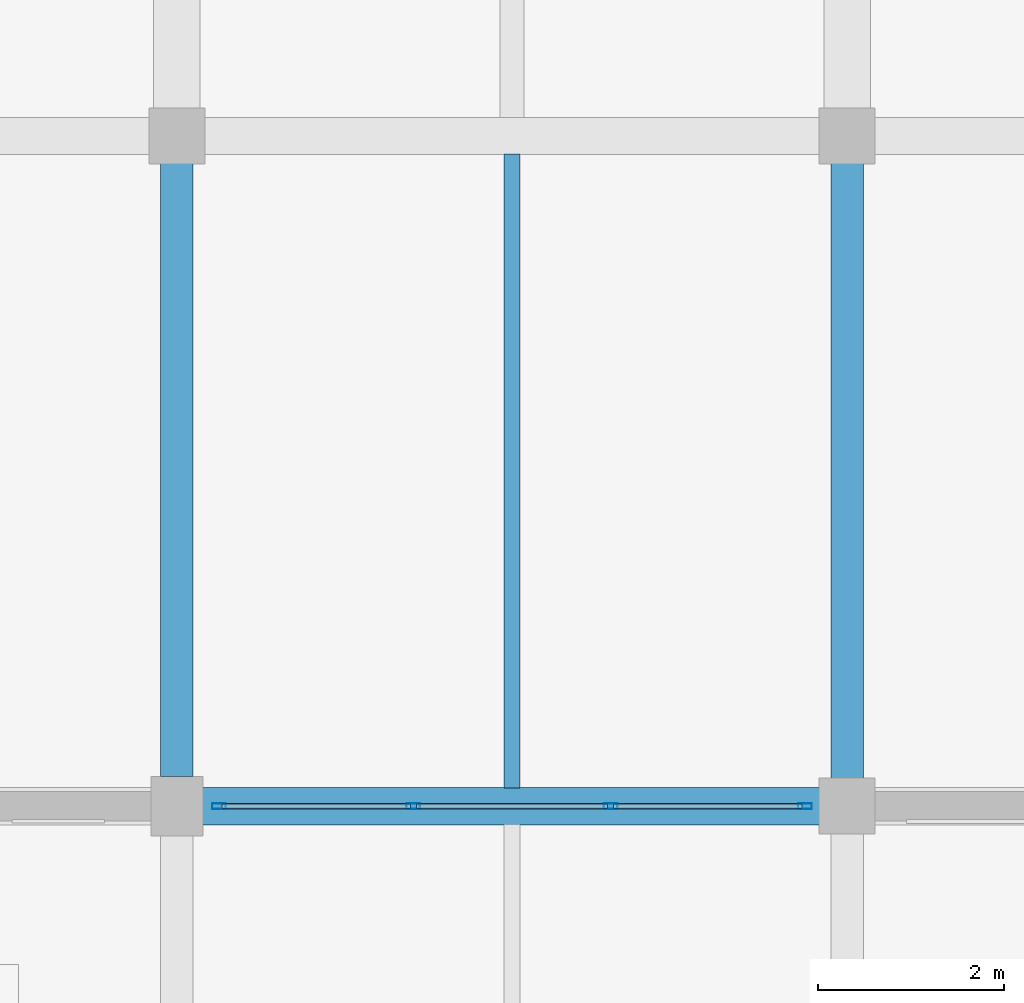
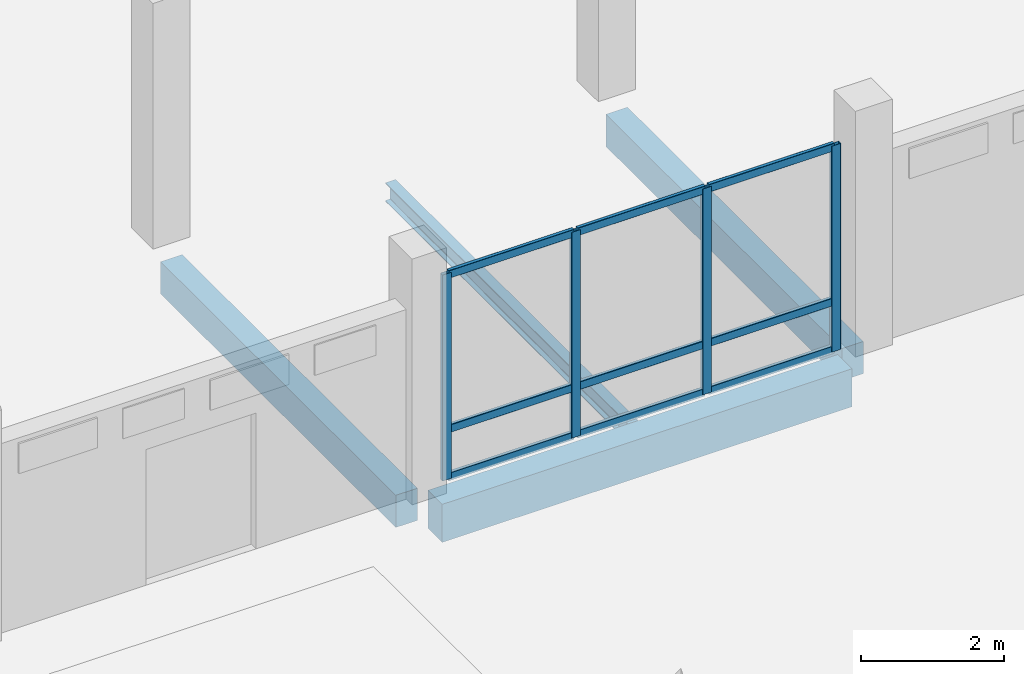
# One storey, part 108 of 158: 13 members, 4 beams, 1 element without a shape of its own.
"""IFC4 building model written with IfcOpenShell, lengths in metres."""

from ifc_helpers import new_model, si_unit, direction, frame, origin, origin_2d, place, context, subcontext, project, spatial, rectangle, hollow_rectangle, i_section, extrude, material, material_profile, profile_set, type_object, element, aggregate, save


model = new_model("IFC4")

# Units and contexts
model_context = context("Model", 3, precision=1e-05, world=origin(), true_north=direction((0.0, 1.0)))
body_context = subcontext(model_context, "Body", "Model", "MODEL_VIEW")
ifc_project = project(units=[si_unit("LENGTHUNIT", "METRE"), si_unit("AREAUNIT", "SQUARE_METRE"), si_unit("VOLUMEUNIT", "CUBIC_METRE"), si_unit("PLANEANGLEUNIT", "RADIAN"), si_unit("MASSUNIT", "GRAM", prefix="KILO")], contexts=[model_context])

# Site, building, storey
site_placement = place(None, origin())
site = spatial("IfcSite", under=ifc_project, at=site_placement, CompositionType="ELEMENT")
building_placement = place(site_placement, origin())
building = spatial("IfcBuilding", under=site, at=building_placement, Name="Lusvemor Sports Hall", CompositionType="ELEMENT")
storey_placement = place(building_placement, frame((0.0, 0.0, 10.800048828125)))
storey = spatial("IfcBuildingStorey", under=building, at=storey_placement, Name="L02", CompositionType="ELEMENT", Elevation=10.800048828125)

# Beams
ifc_material_1 = material(Name="Concrete C40/50", Category="concrete")
ifc_material_profile_1 = material_profile(ifc_material_1, rectangle(XDim=0.35009765625, YDim=0.550048828125, at=origin_2d()), Name="RC350x550")
ifc_profile_set_1 = profile_set([ifc_material_profile_1], Name="Concrete C40/50")
beam_type_1 = type_object("IfcBeamType", Name="BEAM_RC_550", PredefinedType="BEAM", material=ifc_profile_set_1)
beam_1_placement = place(storey_placement, frame((133.199951171875, 97.51611328125, -0.53515625), z_axis=(0.0, 1.0, 0.0), x_axis=(-1.0, 0.0, 0.0)))
element("IfcBeam", 1, at=beam_1_placement, inside=storey, type_object=beam_type_1, Name="Beam L02 15:N-P", PredefinedType="BEAM", context=body_context, shape_type="SweptSolid", body=[
    extrude(rectangle(XDim=0.35009765625, YDim=0.550048828125, at=origin_2d()), origin(), (0.0, 0.0, 1.0), 6.587890625),
])
beam_2_placement = place(storey_placement, frame((140.39990234375, 97.49609375, -0.53515625), z_axis=(0.0, 1.0, 0.0), x_axis=(-1.0, 0.0, 0.0)))
element("IfcBeam", 2, at=beam_2_placement, inside=storey, type_object=beam_type_1, Name="Beam L02 16:N-P", PredefinedType="BEAM", context=body_context, shape_type="SweptSolid", body=[
    extrude(rectangle(XDim=0.35009765625, YDim=0.550048828125, at=origin_2d()), origin(), (0.0, 0.0, 1.0), 6.60791015625),
])
ifc_material_2 = material(Name="Concrete C40/50", Category="concrete")
ifc_material_profile_2 = material_profile(ifc_material_2, rectangle(XDim=0.39990234375, YDim=0.64990234375, at=origin_2d()), Name="RC400x650")
ifc_profile_set_2 = profile_set([ifc_material_profile_2], Name="Concrete C40/50")
beam_type_2 = type_object("IfcBeamType", Name="BEAM_RC_650", PredefinedType="BEAM", material=ifc_profile_set_2)
beam_3_placement = place(storey_placement, frame((133.47607421875, 97.199951171875, -0.5849609375), z_axis=(1.0, 0.0, 0.0), x_axis=(0.0, 1.0, 0.0)))
element("IfcBeam", 3, at=beam_3_placement, inside=storey, type_object=beam_type_2, Name="Beam L02 N:15-16", PredefinedType="BEAM", context=body_context, shape_type="SweptSolid", body=[
    extrude(rectangle(XDim=0.39990234375, YDim=0.64990234375, at=origin_2d()), origin(), (0.0, 0.0, 1.0), 6.6279296875),
])

# Curtain wall, members
ifc_material_3 = material(Name="Thermally broken bronze-anodized aluminium", Category="aluminium")
curtain_wall_type = type_object("IfcCurtainWallType", Name="CW_WING_B", PredefinedType="NOTDEFINED", material=ifc_material_3)
curtain_wall_placement = place(storey_placement, origin())
curtain_wall = element("IfcCurtainWall", 4, at=curtain_wall_placement, inside=storey, type_object=curtain_wall_type, Name="Curtain Wall CW-L02-S-3-12", PredefinedType="NOTDEFINED")
ifc_material_4 = material(Name="Thermally broken bronze-anodized aluminium", Category="aluminium")
ifc_material_profile_3 = material_profile(ifc_material_4, hollow_rectangle(XDim=0.06494140625, YDim=0.14990234375, WallThickness=0.00390625, InnerFilletRadius=0.00390625, OuterFilletRadius=0.008056640625, at=origin_2d()), Name="CWMUL150x65x4")
ifc_profile_set_3 = profile_set([ifc_material_profile_3], Name="Thermally broken bronze-anodized aluminium")
member_type_1 = type_object("IfcMemberType", Name="CW_MUL_B", PredefinedType="MULLION", material=ifc_profile_set_3)
member_1_placement = place(storey_placement, frame((139.947509765625, 97.199951171875, 0.0), z_axis=(0.0, 0.0, 1.0), x_axis=(0.0, -1.0, 0.0)))
member_1 = element("IfcMember", 5, at=member_1_placement, type_object=member_type_1, Name="CW02 mullion 1", PredefinedType="MULLION", context=body_context, shape_type="SweptSolid", body=[
    extrude(hollow_rectangle(XDim=0.06494140625, YDim=0.14990234375, WallThickness=0.00390625, InnerFilletRadius=0.00390625, OuterFilletRadius=0.008056640625, at=origin_2d()), origin(), (0.0, 0.0, 1.0), 3.52001953125),
])
member_2_placement = place(storey_placement, frame((137.860107421875, 97.199951171875, 0.0), z_axis=(0.0, 0.0, 1.0), x_axis=(0.0, -1.0, 0.0)))
member_2 = element("IfcMember", 6, at=member_2_placement, type_object=member_type_1, Name="CW02 mullion 2", PredefinedType="MULLION", context=body_context, shape_type="SweptSolid", body=[
    extrude(hollow_rectangle(XDim=0.06494140625, YDim=0.14990234375, WallThickness=0.00390625, InnerFilletRadius=0.00390625, OuterFilletRadius=0.008056640625, at=origin_2d()), origin(), (0.0, 0.0, 1.0), 3.52001953125),
])
member_3_placement = place(storey_placement, frame((135.739990234375, 97.199951171875, 0.0), z_axis=(0.0, 0.0, 1.0), x_axis=(0.0, -1.0, 0.0)))
member_3 = element("IfcMember", 7, at=member_3_placement, type_object=member_type_1, Name="CW02 mullion 3", PredefinedType="MULLION", context=body_context, shape_type="SweptSolid", body=[
    extrude(hollow_rectangle(XDim=0.06494140625, YDim=0.14990234375, WallThickness=0.00390625, InnerFilletRadius=0.00390625, OuterFilletRadius=0.008056640625, at=origin_2d()), origin(), (0.0, 0.0, 1.0), 3.52001953125),
])
member_4_placement = place(storey_placement, frame((133.652587890625, 97.199951171875, 0.0), z_axis=(0.0, 0.0, 1.0), x_axis=(0.0, -1.0, 0.0)))
member_4 = element("IfcMember", 8, at=member_4_placement, type_object=member_type_1, Name="CW02 mullion 4", PredefinedType="MULLION", context=body_context, shape_type="SweptSolid", body=[
    extrude(hollow_rectangle(XDim=0.06494140625, YDim=0.14990234375, WallThickness=0.00390625, InnerFilletRadius=0.00390625, OuterFilletRadius=0.008056640625, at=origin_2d()), origin(), (0.0, 0.0, 1.0), 3.52001953125),
])
ifc_material_5 = material(Name="Thermally broken bronze-anodized aluminium", Category="aluminium")
ifc_material_profile_4 = material_profile(ifc_material_5, hollow_rectangle(XDim=0.06005859375, YDim=0.135009765625, WallThickness=0.00390625, InnerFilletRadius=0.00390625, OuterFilletRadius=0.008056640625, at=origin_2d()), Name="CWTRN135x60x4")
ifc_profile_set_4 = profile_set([ifc_material_profile_4], Name="Thermally broken bronze-anodized aluminium")
member_type_2 = type_object("IfcMemberType", Name="CW_TRN_B", PredefinedType="USERDEFINED", material=ifc_profile_set_4)
member_5_placement = place(storey_placement, frame((139.9150390625, 97.199951171875, 0.030029296875), z_axis=(-1.0, 0.0, 0.0), x_axis=(0.0, -1.0, 0.0)))
member_5 = element("IfcMember", 9, at=member_5_placement, type_object=member_type_2, Name="CW02 transom 1.1", ObjectType="TRANSOM", PredefinedType="USERDEFINED", context=body_context, shape_type="SweptSolid", body=[
    extrude(hollow_rectangle(XDim=0.06005859375, YDim=0.135009765625, WallThickness=0.00390625, InnerFilletRadius=0.00390625, OuterFilletRadius=0.008056640625, at=origin_2d()), origin(), (0.0, 0.0, 1.0), 2.0224609375),
])
member_6_placement = place(storey_placement, frame((139.9150390625, 97.199951171875, 0.849853515625), z_axis=(-1.0, 0.0, 0.0), x_axis=(0.0, -1.0, 0.0)))
member_6 = element("IfcMember", 10, at=member_6_placement, type_object=member_type_2, Name="CW02 transom 1.2", ObjectType="TRANSOM", PredefinedType="USERDEFINED", context=body_context, shape_type="SweptSolid", body=[
    extrude(hollow_rectangle(XDim=0.06005859375, YDim=0.135009765625, WallThickness=0.00390625, InnerFilletRadius=0.00390625, OuterFilletRadius=0.008056640625, at=origin_2d()), origin(), (0.0, 0.0, 1.0), 2.0224609375),
])
member_7_placement = place(storey_placement, frame((139.9150390625, 97.199951171875, 3.489990234375), z_axis=(-1.0, 0.0, 0.0), x_axis=(0.0, -1.0, 0.0)))
member_7 = element("IfcMember", 11, at=member_7_placement, type_object=member_type_2, Name="CW02 transom 1.3", ObjectType="TRANSOM", PredefinedType="USERDEFINED", context=body_context, shape_type="SweptSolid", body=[
    extrude(hollow_rectangle(XDim=0.06005859375, YDim=0.135009765625, WallThickness=0.00390625, InnerFilletRadius=0.00390625, OuterFilletRadius=0.008056640625, at=origin_2d()), origin(), (0.0, 0.0, 1.0), 2.0224609375),
])
member_8_placement = place(storey_placement, frame((137.827392578125, 97.199951171875, 0.030029296875), z_axis=(-1.0, 0.0, 0.0), x_axis=(0.0, -1.0, 0.0)))
member_8 = element("IfcMember", 12, at=member_8_placement, type_object=member_type_2, Name="CW02 transom 2.1", ObjectType="TRANSOM", PredefinedType="USERDEFINED", context=body_context, shape_type="SweptSolid", body=[
    extrude(hollow_rectangle(XDim=0.06005859375, YDim=0.135009765625, WallThickness=0.00390625, InnerFilletRadius=0.00390625, OuterFilletRadius=0.008056640625, at=origin_2d()), origin(), (0.0, 0.0, 1.0), 2.054931640625),
])
member_9_placement = place(storey_placement, frame((137.827392578125, 97.199951171875, 0.849853515625), z_axis=(-1.0, 0.0, 0.0), x_axis=(0.0, -1.0, 0.0)))
member_9 = element("IfcMember", 13, at=member_9_placement, type_object=member_type_2, Name="CW02 transom 2.2", ObjectType="TRANSOM", PredefinedType="USERDEFINED", context=body_context, shape_type="SweptSolid", body=[
    extrude(hollow_rectangle(XDim=0.06005859375, YDim=0.135009765625, WallThickness=0.00390625, InnerFilletRadius=0.00390625, OuterFilletRadius=0.008056640625, at=origin_2d()), origin(), (0.0, 0.0, 1.0), 2.054931640625),
])
member_10_placement = place(storey_placement, frame((137.827392578125, 97.199951171875, 3.489990234375), z_axis=(-1.0, 0.0, 0.0), x_axis=(0.0, -1.0, 0.0)))
member_10 = element("IfcMember", 14, at=member_10_placement, type_object=member_type_2, Name="CW02 transom 2.3", ObjectType="TRANSOM", PredefinedType="USERDEFINED", context=body_context, shape_type="SweptSolid", body=[
    extrude(hollow_rectangle(XDim=0.06005859375, YDim=0.135009765625, WallThickness=0.00390625, InnerFilletRadius=0.00390625, OuterFilletRadius=0.008056640625, at=origin_2d()), origin(), (0.0, 0.0, 1.0), 2.054931640625),
])
member_11_placement = place(storey_placement, frame((135.70751953125, 97.199951171875, 0.030029296875), z_axis=(-1.0, 0.0, 0.0), x_axis=(0.0, -1.0, 0.0)))
member_11 = element("IfcMember", 15, at=member_11_placement, type_object=member_type_2, Name="CW02 transom 3.1", ObjectType="TRANSOM", PredefinedType="USERDEFINED", context=body_context, shape_type="SweptSolid", body=[
    extrude(hollow_rectangle(XDim=0.06005859375, YDim=0.135009765625, WallThickness=0.00390625, InnerFilletRadius=0.00390625, OuterFilletRadius=0.008056640625, at=origin_2d()), origin(), (0.0, 0.0, 1.0), 2.0224609375),
])
member_12_placement = place(storey_placement, frame((135.70751953125, 97.199951171875, 0.849853515625), z_axis=(-1.0, 0.0, 0.0), x_axis=(0.0, -1.0, 0.0)))
member_12 = element("IfcMember", 16, at=member_12_placement, type_object=member_type_2, Name="CW02 transom 3.2", ObjectType="TRANSOM", PredefinedType="USERDEFINED", context=body_context, shape_type="SweptSolid", body=[
    extrude(hollow_rectangle(XDim=0.06005859375, YDim=0.135009765625, WallThickness=0.00390625, InnerFilletRadius=0.00390625, OuterFilletRadius=0.008056640625, at=origin_2d()), origin(), (0.0, 0.0, 1.0), 2.0224609375),
])
member_13_placement = place(storey_placement, frame((135.70751953125, 97.199951171875, 3.489990234375), z_axis=(-1.0, 0.0, 0.0), x_axis=(0.0, -1.0, 0.0)))
member_13 = element("IfcMember", 17, at=member_13_placement, type_object=member_type_2, Name="CW02 transom 3.3", ObjectType="TRANSOM", PredefinedType="USERDEFINED", context=body_context, shape_type="SweptSolid", body=[
    extrude(hollow_rectangle(XDim=0.06005859375, YDim=0.135009765625, WallThickness=0.00390625, InnerFilletRadius=0.00390625, OuterFilletRadius=0.008056640625, at=origin_2d()), origin(), (0.0, 0.0, 1.0), 2.0224609375),
])
aggregate(curtain_wall, [member_1, member_2, member_3, member_4, member_5, member_6, member_7, member_8, member_9, member_10, member_11, member_12, member_13])

# Beam
ifc_material_6 = material(Name="Steel S355", Category="steel")
ifc_material_profile_5 = material_profile(ifc_material_6, i_section(OverallWidth=0.1669921875, OverallDepth=0.31689453125, WebThickness=0.007568359375, FlangeThickness=0.01318359375, FilletRadius=0.014892578125, at=origin_2d()), Name="W310x52.0")
ifc_profile_set_5 = profile_set([ifc_material_profile_5], Name="Steel S355")
beam_type_3 = type_object("IfcBeamType", Name="JOIST_ST_310M", PredefinedType="JOIST", material=ifc_profile_set_5)
beam_4_placement = place(storey_placement, frame((136.800048828125, 97.39599609375, -0.422607421875), z_axis=(0.0, 1.0, 0.0), x_axis=(-1.0, 0.0, 0.0)))
element("IfcBeam", 18, at=beam_4_placement, inside=storey, type_object=beam_type_3, Name="Secondary Joist L02 15-16/N-P #1", PredefinedType="JOIST", context=body_context, shape_type="SweptSolid", body=[
    extrude(i_section(OverallWidth=0.1669921875, OverallDepth=0.31689453125, WebThickness=0.007568359375, FlangeThickness=0.01318359375, FilletRadius=0.014892578125, at=origin_2d()), origin(), (0.0, 0.0, 1.0), 6.80810546875),
])

save(model, "model.ifc")
